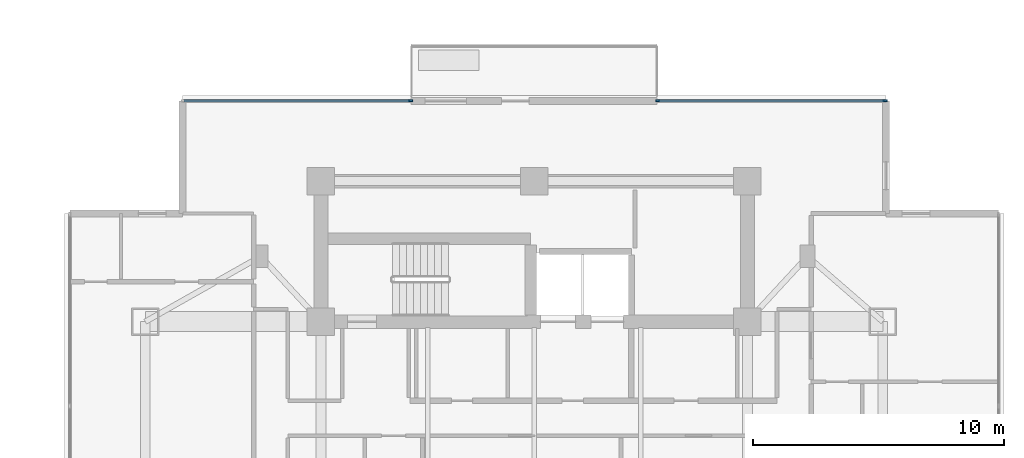
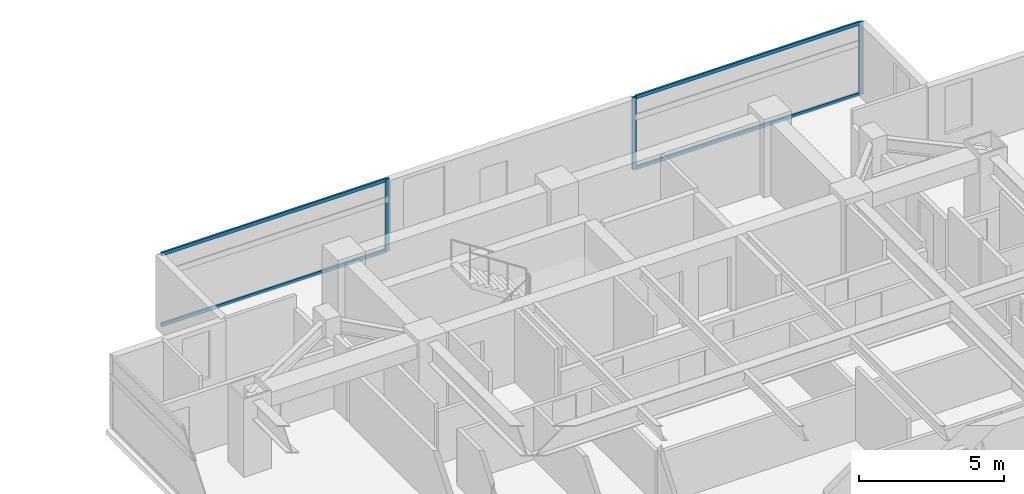
# One storey, part 11 of 24: 7 members, 2 elements without a shape of their own.
"""IFC4 building model written with IfcOpenShell, lengths in metres."""

from ifc_helpers import new_model, si_unit, direction, frame, origin, origin_2d, place, context, subcontext, project, spatial, rectangle, extrude, material, material_profile, profile_set, type_object, element, aggregate, save


model = new_model("IFC4")

# Units and contexts
model_context = context("Model", 3, precision=1e-05, world=origin(), true_north=direction((0.0, 1.0)))
body_context = subcontext(model_context, "Body", "Model", "MODEL_VIEW")
ifc_project = project(units=[si_unit("LENGTHUNIT", "METRE"), si_unit("AREAUNIT", "SQUARE_METRE"), si_unit("VOLUMEUNIT", "CUBIC_METRE"), si_unit("PLANEANGLEUNIT", "RADIAN"), si_unit("MASSUNIT", "GRAM", prefix="KILO")], contexts=[model_context])

# Site, building, storey
site_placement = place(None, origin())
site = spatial("IfcSite", under=ifc_project, at=site_placement, CompositionType="ELEMENT")
building_placement = place(site_placement, origin())
building = spatial("IfcBuilding", under=site, at=building_placement, Name="Mirazonda Arch Towers", CompositionType="ELEMENT")
storey_placement = place(building_placement, frame((0.0, 0.0, 141.199951171875)))
storey = spatial("IfcBuildingStorey", under=building, at=storey_placement, Name="L40", CompositionType="ELEMENT", Elevation=141.199951171875)

# Curtain wall, member
ifc_material_1 = material(Name="Anodised Aluminium and Low-E Glass", Category="aluminium")
curtain_wall_type = type_object("IfcCurtainWallType", Name="CW-HTL-UNIT", PredefinedType="NOTDEFINED", material=ifc_material_1)
curtain_wall_1_placement = place(storey_placement, origin())
curtain_wall_1 = element("IfcCurtainWall", 1, at=curtain_wall_1_placement, inside=storey, type_object=curtain_wall_type, Name="L40 Curtain Wall CW-L40-T2-NA", PredefinedType="NOTDEFINED")
ifc_material_2 = material(Name="Anodised Aluminium Alloy", Category="aluminium")
ifc_material_profile_1 = material_profile(ifc_material_2, rectangle(XDim=0.074951171875, YDim=0.1650390625, at=origin_2d()), Name="ALU-MULL-75x165")
ifc_profile_set_1 = profile_set([ifc_material_profile_1], Name="Anodised Aluminium Alloy")
member_type_1 = type_object("IfcMemberType", Name="MULL-CW-HTL-UNIT", PredefinedType="MULLION", material=ifc_profile_set_1)
member_1_placement = place(storey_placement, frame((71.572509765625, 44.002197265625, 0.0), z_axis=(0.0, 0.0, 1.0), x_axis=(0.0, 1.0, 0.0)))
member_1 = element("IfcMember", 2, at=member_1_placement, type_object=member_type_1, Name="CW-112 mullion 2", PredefinedType="MULLION", context=body_context, shape_type="SweptSolid", body=[
    extrude(rectangle(XDim=0.074951171875, YDim=0.1650390625, at=origin_2d()), origin(), (0.0, 0.0, 1.0), 3.06005859375),
])

# Curtain wall, members
curtain_wall_2_placement = place(storey_placement, origin())
curtain_wall_2 = element("IfcCurtainWall", 3, at=curtain_wall_2_placement, inside=storey, type_object=curtain_wall_type, Name="L40 Curtain Wall CW-L40-T2-NB", PredefinedType="NOTDEFINED")
member_2_placement = place(storey_placement, frame((81.427490234375, 44.002197265625, 0.0), z_axis=(0.0, 0.0, 1.0), x_axis=(0.0, 1.0, 0.0)))
member_2 = element("IfcMember", 4, at=member_2_placement, type_object=member_type_1, Name="CW-112 mullion 1", PredefinedType="MULLION", context=body_context, shape_type="SweptSolid", body=[
    extrude(rectangle(XDim=0.074951171875, YDim=0.1650390625, at=origin_2d()), origin(), (0.0, 0.0, 1.0), 3.06005859375),
])
member_3_placement = place(storey_placement, frame((90.487060546875, 44.002197265625, 0.0), z_axis=(0.0, 0.0, 1.0), x_axis=(0.0, 1.0, 0.0)))
member_3 = element("IfcMember", 5, at=member_3_placement, type_object=member_type_1, Name="CW-112 mullion 2", PredefinedType="MULLION", context=body_context, shape_type="SweptSolid", body=[
    extrude(rectangle(XDim=0.074951171875, YDim=0.1650390625, at=origin_2d()), origin(), (0.0, 0.0, 1.0), 3.06005859375),
])

# Member
ifc_material_profile_2 = material_profile(ifc_material_2, rectangle(XDim=0.074951171875, YDim=0.14501953125, at=origin_2d()), Name="ALU-TRAN-75x145")
ifc_profile_set_2 = profile_set([ifc_material_profile_2], Name="Anodised Aluminium Alloy")
member_type_2 = type_object("IfcMemberType", Name="TRAN-CW-HTL-UNIT", PredefinedType="USERDEFINED", material=ifc_profile_set_2)
member_4_placement = place(storey_placement, frame((62.550537109375, 44.002197265625, 0.03759765625), z_axis=(1.0, 0.0, 0.0), x_axis=(0.0, 1.0, 0.0)))
member_4 = element("IfcMember", 6, at=member_4_placement, type_object=member_type_2, Name="CW-112 transom 1.1", ObjectType="TRANSOM", PredefinedType="USERDEFINED", context=body_context, shape_type="SweptSolid", body=[
    extrude(rectangle(XDim=0.074951171875, YDim=0.14501953125, at=origin_2d()), origin(), (0.0, 0.0, 1.0), 8.984375),
])

member_5_placement = place(storey_placement, frame((62.550537109375, 44.002197265625, 3.0224609375), z_axis=(1.0, 0.0, 0.0), x_axis=(0.0, 1.0, 0.0)))
member_5 = element("IfcMember", 7, at=member_5_placement, type_object=member_type_2, Name="CW-112 transom 1.2", ObjectType="TRANSOM", PredefinedType="USERDEFINED", context=body_context, shape_type="SweptSolid", body=[
    extrude(rectangle(XDim=0.074951171875, YDim=0.14501953125, at=origin_2d()), origin(), (0.0, 0.0, 1.0), 8.984375),
])

aggregate(curtain_wall_1, [member_1, member_4, member_5])

member_6_placement = place(storey_placement, frame((81.465087890625, 44.002197265625, 0.03759765625), z_axis=(1.0, 0.0, 0.0), x_axis=(0.0, 1.0, 0.0)))
member_6 = element("IfcMember", 8, at=member_6_placement, type_object=member_type_2, Name="CW-112 transom 1.1", ObjectType="TRANSOM", PredefinedType="USERDEFINED", context=body_context, shape_type="SweptSolid", body=[
    extrude(rectangle(XDim=0.074951171875, YDim=0.14501953125, at=origin_2d()), origin(), (0.0, 0.0, 1.0), 8.984375),
])

member_7_placement = place(storey_placement, frame((81.465087890625, 44.002197265625, 3.0224609375), z_axis=(1.0, 0.0, 0.0), x_axis=(0.0, 1.0, 0.0)))
member_7 = element("IfcMember", 9, at=member_7_placement, type_object=member_type_2, Name="CW-112 transom 1.2", ObjectType="TRANSOM", PredefinedType="USERDEFINED", context=body_context, shape_type="SweptSolid", body=[
    extrude(rectangle(XDim=0.074951171875, YDim=0.14501953125, at=origin_2d()), origin(), (0.0, 0.0, 1.0), 8.984375),
])

aggregate(curtain_wall_2, [member_2, member_3, member_6, member_7])

save(model, "model.ifc")
